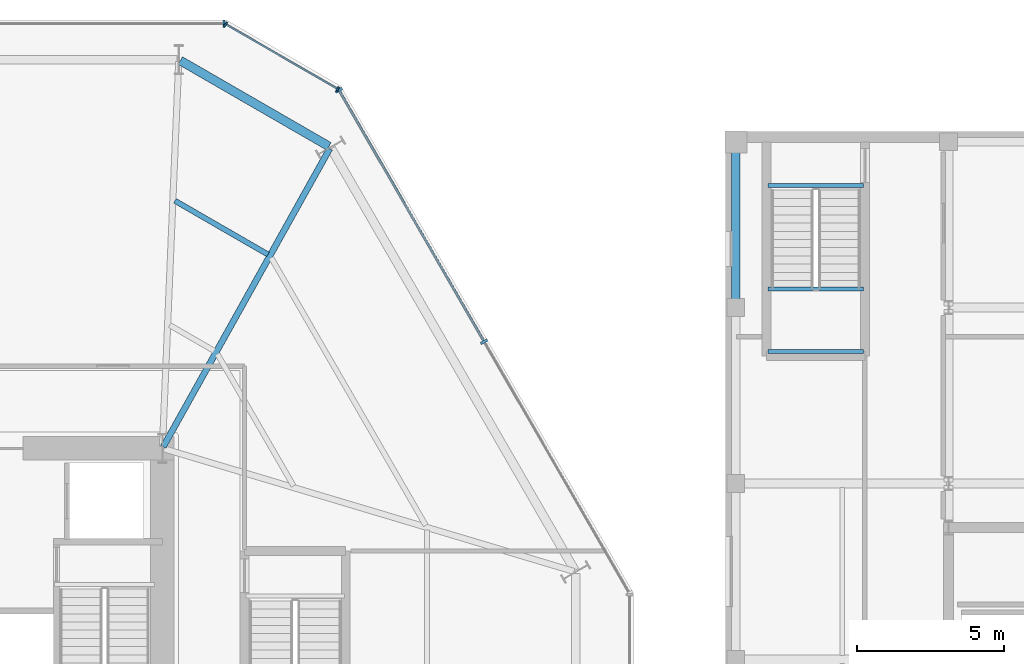
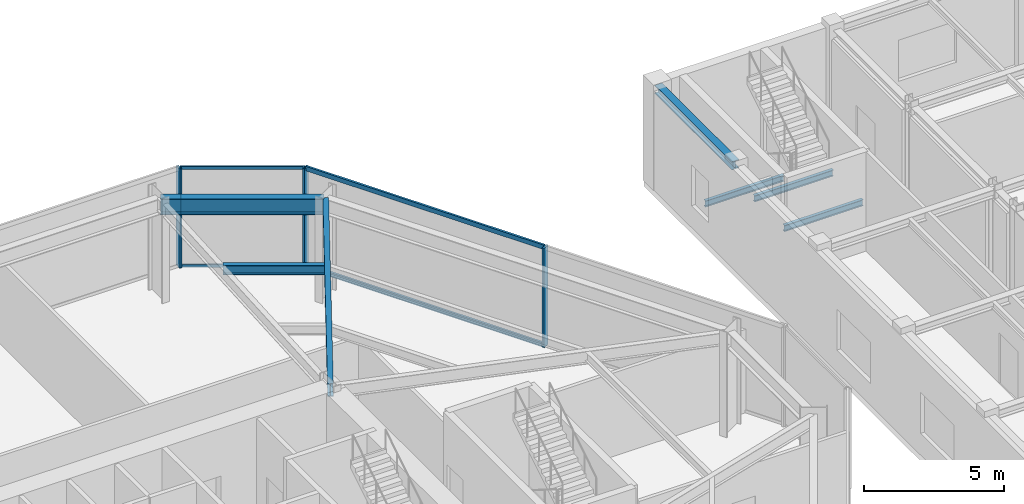
# One storey, part 13 of 23: 9 members, 7 beams, 3 elements without a shape of their own.
"""IFC4 building model written with IfcOpenShell, lengths in metres."""

import ifcopenshell
import ifcopenshell.guid

model = None  # the IFC model being written
_history = None  # IfcOwnerHistory: only IFC2X3 demands one
_inside = {}  # id of a spatial element -> (the spatial element, [elements in it])
_under = {}  # id of a project, library or spatial element -> (it, [spatial elements below it])
_declared = {}  # id of a project -> (the project, [libraries it declares])
_typed = {}  # id of a type object -> (the type object, [elements of that type])
_made_of = {}  # id of a material, layer set ... -> (it, [elements and type objects made of it])


def new_model(schema):
    """Start an empty IFC model of exactly this schema.

    Asked for "IFC4X3", IfcOpenShell would pick the latest addendum, in which some entities
    have other attributes; the version numbers below select the first issue.
    IFC2X3 requires an IfcOwnerHistory on every rooted entity: one is made here for all.
    """
    global model, _history
    if schema == "IFC4X3":
        model = ifcopenshell.file(schema_version=(4, 3, 0, 0))
    else:
        model = ifcopenshell.file(schema=schema)
    _inside.clear()
    _under.clear()
    _declared.clear()
    _typed.clear()
    _made_of.clear()
    _history = None
    if model.schema == "IFC2X3":
        org = make("IfcOrganization", Name="unknown")
        user = make(
            "IfcPersonAndOrganization",
            ThePerson=make("IfcPerson", FamilyName="unknown"),
            TheOrganization=org,
        )
        app = make(
            "IfcApplication",
            ApplicationDeveloper=org,
            Version="unknown",
            ApplicationFullName="unknown",
            ApplicationIdentifier="unknown",
        )
        _history = make(
            "IfcOwnerHistory",
            OwningUser=user,
            OwningApplication=app,
            ChangeAction="ADDED",
            CreationDate=0,
        )
    return model


def make(cls, **values):
    """One entity of the class cls with the attributes given. An attribute that is None is left unset."""
    return model.create_entity(
        cls, **{name: value for name, value in values.items() if value is not None}
    )


def rooted(cls, **values):
    """An entity with a GlobalId (a new one), such as an element, a storey or a relation."""
    return make(cls, GlobalId=ifcopenshell.guid.new(), OwnerHistory=_history, **values)


def si_unit(unit_type, name, prefix=None):
    """IfcSIUnit, for example si_unit("LENGTHUNIT", "METRE", prefix="MILLI")."""
    return make("IfcSIUnit", UnitType=unit_type, Prefix=prefix, Name=name)


def assignment(units):
    """IfcUnitAssignment: the units of a project."""
    return None if units is None else make("IfcUnitAssignment", Units=units)


def point(xyz):
    """IfcCartesianPoint."""
    return None if xyz is None else make("IfcCartesianPoint", Coordinates=xyz)


def direction(xyz):
    """IfcDirection."""
    return None if xyz is None else make("IfcDirection", DirectionRatios=xyz)


def frame(location, z_axis=None, x_axis=None):
    """IfcAxis2Placement3D, a coordinate frame: its origin and axes. An axis left out is left unset."""
    return make(
        "IfcAxis2Placement3D",
        Location=point(location),
        Axis=direction(z_axis),
        RefDirection=direction(x_axis),
    )


def frame_2d(location, x_axis=None):
    """IfcAxis2Placement2D, a coordinate frame in the plane: its origin and x axis."""
    return make(
        "IfcAxis2Placement2D", Location=point(location), RefDirection=direction(x_axis)
    )


def origin():
    """The frame at (0, 0, 0) with its axes left unset."""
    return frame((0.0, 0.0, 0.0))


def origin_2d():
    """The frame at (0, 0) in the plane with its x axis left unset."""
    return frame_2d((0.0, 0.0))


def place(relative_to, where):
    """IfcLocalPlacement: puts the frame where relative to a parent placement (None: the world)."""
    return make(
        "IfcLocalPlacement", PlacementRelTo=relative_to, RelativePlacement=where
    )


def context(
    kind, dimensions, precision=None, world=None, true_north=None, identifier=None
):
    """IfcGeometricRepresentationContext, for example the 3D "Model" context."""
    return make(
        "IfcGeometricRepresentationContext",
        ContextIdentifier=identifier,
        ContextType=kind,
        CoordinateSpaceDimension=dimensions,
        Precision=precision,
        WorldCoordinateSystem=world,
        TrueNorth=true_north,
    )


def subcontext(parent, identifier, kind, view, scale=None):
    """IfcGeometricRepresentationSubContext, for example "Body" below "Model"."""
    return make(
        "IfcGeometricRepresentationSubContext",
        ContextIdentifier=identifier,
        ContextType=kind,
        ParentContext=parent,
        TargetScale=scale,
        TargetView=view,
    )


def project(units=None, contexts=None):
    """IfcProject with its units and contexts."""
    return rooted(
        "IfcProject",
        Name="project",
        RepresentationContexts=contexts,
        UnitsInContext=assignment(units),
    )


def spatial(cls, under=None, at=None, **own):
    """A site, building, storey or space (cls), placed at a placement, below another one or the project."""
    s = rooted(cls, ObjectPlacement=at, **own)
    if under is not None:
        _under.setdefault(under.id(), (under, []))[1].append(s)
    return s


def profile(cls, at=None, kind="AREA", **sizes):
    """A parametric profile (cls). Its sizes go by their IFC names, for example OverallWidth=200.0."""
    return make(cls, ProfileType=kind, Position=at, **sizes)


def rectangle(**sizes):
    """IfcRectangleProfileDef."""
    return profile("IfcRectangleProfileDef", **sizes)


def i_section(**sizes):
    """IfcIShapeProfileDef."""
    return profile("IfcIShapeProfileDef", **sizes)


def extrude(swept, where, along, depth):
    """IfcExtrudedAreaSolid: the profile swept, set in the frame where, extruded along a direction by depth."""
    return make(
        "IfcExtrudedAreaSolid",
        SweptArea=swept,
        Position=where,
        ExtrudedDirection=direction(along),
        Depth=depth,
    )


def shape(context_of_items, identifier, shape_type, items):
    """IfcShapeRepresentation: the items that make up one representation, for example the "Body"."""
    return make(
        "IfcShapeRepresentation",
        ContextOfItems=context_of_items,
        RepresentationIdentifier=identifier,
        RepresentationType=shape_type,
        Items=items,
    )


def material(Name=None, Category=None):
    """IfcMaterial."""
    return make("IfcMaterial", Name=Name, Category=Category)


def layer(
    of_material, thickness, ventilated=None, Name=None, Category=None, Priority=None
):
    """IfcMaterialLayer: one layer of a wall or slab, of a material (None: an air gap)."""
    return make(
        "IfcMaterialLayer",
        Material=of_material,
        LayerThickness=thickness,
        IsVentilated=ventilated,
        Name=Name,
        Category=Category,
        Priority=Priority,
    )


def layer_set(layers, Name=None):
    """IfcMaterialLayerSet."""
    return make("IfcMaterialLayerSet", MaterialLayers=layers, LayerSetName=Name)


def material_profile(
    of_material, cross_section, Name=None, Category=None, Priority=None
):
    """IfcMaterialProfile: a cross section and its material."""
    return make(
        "IfcMaterialProfile",
        Name=Name,
        Material=of_material,
        Profile=cross_section,
        Priority=Priority,
        Category=Category,
    )


def profile_set(profiles, Name=None, composite=None):
    """IfcMaterialProfileSet."""
    return make(
        "IfcMaterialProfileSet",
        Name=Name,
        MaterialProfiles=profiles,
        CompositeProfile=composite,
    )


def made_of(thing, what):
    """Note that an element or type object is made of a material, layer set ...; save() writes the relation."""
    if what is not None:
        _made_of.setdefault(what.id(), (what, []))[1].append(thing)
    return thing


def type_object(cls, material=None, **own):
    """A type object (cls), such as IfcWallType, which elements share."""
    return made_of(rooted(cls, **own), material)


def element(
    cls,
    number,
    at=None,
    inside=None,
    cuts=None,
    type_object=None,
    material=None,
    context=None,
    identifier="Body",
    shape_type=None,
    held_by="IfcProductDefinitionShape",
    body=None,
    shapes=None,
    **own,
):
    """One element of the class cls, such as IfcWall. Its Tag is "e" and its number.

    at: its placement. inside: the storey or other place that contains it. cuts: it is an
    opening in that element (IfcRelVoidsElement). A single representation is given by context,
    identifier, shape_type and body (its items); several are given by shapes. held_by: the class
    of the entity that holds the representations. save() writes the other relations.
    """
    e = rooted(cls, Tag="e%d" % number, ObjectPlacement=at, **own)
    if body is not None:
        shapes = [shape(context, identifier, shape_type, body)]
    if shapes is not None:
        e.Representation = make(held_by, Representations=shapes)
    if inside is not None:
        _inside.setdefault(inside.id(), (inside, []))[1].append(e)
    if cuts is not None:
        rooted(
            "IfcRelVoidsElement", RelatingBuildingElement=cuts, RelatedOpeningElement=e
        )
    if type_object is not None:
        _typed.setdefault(type_object.id(), (type_object, []))[1].append(e)
    return made_of(e, material)


def aggregate(whole, parts):
    """IfcRelAggregates: a whole, such as a stair, and the parts it consists of."""
    return rooted("IfcRelAggregates", RelatingObject=whole, RelatedObjects=parts)


def save(model, path):
    """Write the relations noted so far, then the file.

    IfcRelAggregates (storeys below a building ...), IfcRelContainedInSpatialStructure (elements
    in a storey), IfcRelDefinesByType, IfcRelAssociatesMaterial and IfcRelDeclares: one each for
    every whole, place, type object, material and project.
    """
    for whole, parts in _under.values():
        aggregate(whole, parts)
    for where, things in _inside.values():
        rooted(
            "IfcRelContainedInSpatialStructure",
            RelatedElements=things,
            RelatingStructure=where,
        )
    for kind, things in _typed.values():
        rooted("IfcRelDefinesByType", RelatedObjects=things, RelatingType=kind)
    for what, things in _made_of.values():
        rooted("IfcRelAssociatesMaterial", RelatedObjects=things, RelatingMaterial=what)
    for by, libraries in _declared.values():
        rooted("IfcRelDeclares", RelatingContext=by, RelatedDefinitions=libraries)
    model.write(path)


model = new_model("IFC4")

# Units and contexts
model_context = context("Model", 3, precision=1e-05, world=origin(), true_north=direction((0.0, 1.0)))
body_context = subcontext(model_context, "Body", "Model", "MODEL_VIEW")
ifc_project = project(units=[si_unit("LENGTHUNIT", "METRE"), si_unit("AREAUNIT", "SQUARE_METRE"), si_unit("VOLUMEUNIT", "CUBIC_METRE"), si_unit("PLANEANGLEUNIT", "RADIAN"), si_unit("MASSUNIT", "GRAM", prefix="KILO")], contexts=[model_context])

# Site, building, storey
site_placement = place(None, origin())
site = spatial("IfcSite", under=ifc_project, at=site_placement, CompositionType="ELEMENT")
building_placement = place(site_placement, origin())
building = spatial("IfcBuilding", under=site, at=building_placement, Name="Kranzbogen Civic Tower", CompositionType="ELEMENT")
storey_placement = place(building_placement, frame((0.0, 0.0, 9.800048828125)))
storey = spatial("IfcBuildingStorey", under=building, at=storey_placement, Name="L02", CompositionType="ELEMENT", Elevation=9.800048828125)

# Curtain wall, members
ifc_material_1 = material(Name="Pale Anodised Aluminium", Category="aluminium")
ifc_layer_1 = layer(ifc_material_1, 0.219970703125, Name="Pale Anodised Aluminium")
ifc_layer_set_1 = layer_set([ifc_layer_1], Name="Pale Anodised Aluminium")
curtain_wall_type_1 = type_object("IfcCurtainWallType", Name="Chamfer Facet Stick Curtain Wall System CW-06", PredefinedType="USERDEFINED", material=ifc_layer_set_1)
curtain_wall_1_placement = place(storey_placement, origin())
curtain_wall_1 = element("IfcCurtainWall", 1, at=curtain_wall_1_placement, inside=storey, type_object=curtain_wall_type_1, Name="L02 curtain wall CW-L02-C1", ObjectType="STICK CURTAIN WALL", PredefinedType="USERDEFINED")
ifc_material_profile_1 = material_profile(ifc_material_1, rectangle(XDim=0.06005859375, YDim=0.159912109375, at=origin_2d()), Name="ALU-M 60x160")
ifc_profile_set_1 = profile_set([ifc_material_profile_1], Name="Pale Anodised Aluminium")
member_type_1 = type_object("IfcMemberType", Name="Curtain Wall Mullion ALU-M 60x160", PredefinedType="MULLION", material=ifc_profile_set_1)
member_1_placement = place(storey_placement, frame((38.778076171875, 44.450927734375, 0.0), z_axis=(0.0, 0.0, 1.0), x_axis=(-0.865992001897, 0.500057849305, 0.0)))
member_1 = element("IfcMember", 2, at=member_1_placement, type_object=member_type_1, Name="CW-06 mullion 1", PredefinedType="MULLION", context=body_context, shape_type="SweptSolid", body=[
    extrude(rectangle(XDim=0.06005859375, YDim=0.159912109375, at=origin_2d()), origin(), (0.0, 0.0, 1.0), 4.33984375),
])
member_2_placement = place(storey_placement, frame((34.9560546875, 46.657958984375, 0.0), z_axis=(0.0, 0.0, 1.0), x_axis=(-0.865992001897, 0.500057849305, 0.0)))
member_2 = element("IfcMember", 3, at=member_2_placement, type_object=member_type_1, Name="CW-06 mullion 2", PredefinedType="MULLION", context=body_context, shape_type="SweptSolid", body=[
    extrude(rectangle(XDim=0.06005859375, YDim=0.159912109375, at=origin_2d()), origin(), (0.0, 0.0, 1.0), 4.33984375),
])

ifc_layer_2 = layer(ifc_material_1, 0.219970703125, Name="Pale Anodised Aluminium")
ifc_layer_set_2 = layer_set([ifc_layer_2], Name="Pale Anodised Aluminium")
curtain_wall_type_2 = type_object("IfcCurtainWallType", Name="Podium Stick Curtain Wall System CW-01", PredefinedType="USERDEFINED", material=ifc_layer_set_2)
curtain_wall_2_placement = place(storey_placement, origin())
curtain_wall_2 = element("IfcCurtainWall", 4, at=curtain_wall_2_placement, inside=storey, type_object=curtain_wall_type_2, Name="L02 curtain wall CW-L02-F1", ObjectType="STICK CURTAIN WALL", PredefinedType="USERDEFINED")
ifc_material_profile_2 = material_profile(ifc_material_1, rectangle(XDim=0.0849609375, YDim=0.260009765625, at=origin_2d()), Name="ALU-M 85x260")
ifc_profile_set_2 = profile_set([ifc_material_profile_2], Name="Pale Anodised Aluminium")
member_type_2 = type_object("IfcMemberType", Name="Curtain Wall Mullion ALU-M 85x260", PredefinedType="MULLION", material=ifc_profile_set_2)
member_3_placement = place(storey_placement, frame((43.76904296875, 35.83642578125, 0.0), z_axis=(0.0, 0.0, 1.0), x_axis=(-0.500005767433, 0.86602207393, 0.0)))
member_3 = element("IfcMember", 5, at=member_3_placement, type_object=member_type_2, Name="CW-01 mullion 2", PredefinedType="MULLION", context=body_context, shape_type="SweptSolid", body=[
    extrude(rectangle(XDim=0.0849609375, YDim=0.260009765625, at=origin_2d()), origin(), (0.0, 0.0, 1.0), 4.33984375),
])
member_4_placement = place(storey_placement, frame((38.819091796875, 44.409912109375, 0.0), z_axis=(0.0, 0.0, 1.0), x_axis=(-0.500005767433, 0.86602207393, 0.0)))
member_4 = element("IfcMember", 6, at=member_4_placement, type_object=member_type_2, Name="CW-01 mullion 3", PredefinedType="MULLION", context=body_context, shape_type="SweptSolid", body=[
    extrude(rectangle(XDim=0.0849609375, YDim=0.260009765625, at=origin_2d()), origin(), (0.0, 0.0, 1.0), 4.33984375),
])

# Curtain wall, member
curtain_wall_3_placement = place(storey_placement, origin())
curtain_wall_3 = element("IfcCurtainWall", 7, at=curtain_wall_3_placement, inside=storey, type_object=curtain_wall_type_2, Name="L02 curtain wall CW-L02-F2", ObjectType="STICK CURTAIN WALL", PredefinedType="USERDEFINED")
member_5_placement = place(storey_placement, frame((34.89990234375, 46.673095703125, 0.0), z_axis=(0.0, 0.0, 1.0), x_axis=(-1.0, 0.0, 0.0)))
member_5 = element("IfcMember", 8, at=member_5_placement, type_object=member_type_2, Name="CW-01 mullion 1", PredefinedType="MULLION", context=body_context, shape_type="SweptSolid", body=[
    extrude(rectangle(XDim=0.0849609375, YDim=0.260009765625, at=origin_2d()), origin(), (0.0, 0.0, 1.0), 4.33984375),
])
aggregate(curtain_wall_3, [member_5])

# Member
ifc_material_profile_3 = material_profile(ifc_material_1, rectangle(XDim=0.06005859375, YDim=0.1201171875, at=origin_2d()), Name="ALU-T 60x120")
ifc_profile_set_3 = profile_set([ifc_material_profile_3], Name="Pale Anodised Aluminium")
member_type_3 = type_object("IfcMemberType", Name="Curtain Wall Transom ALU-T 60x120", PredefinedType="USERDEFINED", material=ifc_profile_set_3)
member_6_placement = place(storey_placement, frame((38.751953125, 44.466064453125, 0.030029296875), z_axis=(-0.865987588642, 0.500065492029, 0.0), x_axis=(-0.500065492029, -0.865987588642, 0.0)))
member_6 = element("IfcMember", 9, at=member_6_placement, type_object=member_type_3, Name="CW-06 transom 1.1", ObjectType="TRANSOM", PredefinedType="USERDEFINED", context=body_context, shape_type="SweptSolid", body=[
    extrude(rectangle(XDim=0.06005859375, YDim=0.1201171875, at=origin_2d()), origin(), (0.0, 0.0, 1.0), 4.353515625),
])

member_7_placement = place(storey_placement, frame((38.751953125, 44.466064453125, 4.31005859375), z_axis=(-0.865987588642, 0.500065492029, 0.0), x_axis=(-0.500065492029, -0.865987588642, 0.0)))
member_7 = element("IfcMember", 10, at=member_7_placement, type_object=member_type_3, Name="CW-06 transom 1.2", ObjectType="TRANSOM", PredefinedType="USERDEFINED", context=body_context, shape_type="SweptSolid", body=[
    extrude(rectangle(XDim=0.06005859375, YDim=0.1201171875, at=origin_2d()), origin(), (0.0, 0.0, 1.0), 4.353515625),
])

aggregate(curtain_wall_1, [member_1, member_2, member_6, member_7])

ifc_material_profile_4 = material_profile(ifc_material_1, rectangle(XDim=0.0849609375, YDim=0.195068359375, at=origin_2d()), Name="ALU-T 85x195")
ifc_profile_set_4 = profile_set([ifc_material_profile_4], Name="Pale Anodised Aluminium")
member_type_4 = type_object("IfcMemberType", Name="Curtain Wall Transom ALU-T 85x195", PredefinedType="USERDEFINED", material=ifc_profile_set_4)
member_8_placement = place(storey_placement, frame((43.75390625, 35.862548828125, 0.030029296875), z_axis=(-0.500003092839, 0.866023618125, 0.0), x_axis=(-0.866023618125, -0.500003092839, 0.0)))
member_8 = element("IfcMember", 11, at=member_8_placement, type_object=member_type_4, Name="CW-01 transom 2.1", ObjectType="TRANSOM", PredefinedType="USERDEFINED", context=body_context, shape_type="SweptSolid", body=[
    extrude(rectangle(XDim=0.0849609375, YDim=0.195068359375, at=origin_2d()), origin(), (0.0, 0.0, 1.0), 9.83984375),
])

member_9_placement = place(storey_placement, frame((43.75390625, 35.862548828125, 4.31005859375), z_axis=(-0.500003092839, 0.866023618125, 0.0), x_axis=(-0.866023618125, -0.500003092839, 0.0)))
member_9 = element("IfcMember", 12, at=member_9_placement, type_object=member_type_4, Name="CW-01 transom 2.2", ObjectType="TRANSOM", PredefinedType="USERDEFINED", context=body_context, shape_type="SweptSolid", body=[
    extrude(rectangle(XDim=0.0849609375, YDim=0.195068359375, at=origin_2d()), origin(), (0.0, 0.0, 1.0), 9.83984375),
])

aggregate(curtain_wall_2, [member_3, member_4, member_8, member_9])

# Beams
ifc_material_2 = material(Name="Steel S355", Category="steel")
ifc_material_profile_5 = material_profile(ifc_material_2, i_section(OverallWidth=0.300048828125, OverallDepth=0.360107421875, WebThickness=0.012451171875, FlangeThickness=0.0224609375, at=origin_2d()), Name="HEB 360")
ifc_profile_set_5 = profile_set([ifc_material_profile_5], Name="Steel S355")
beam_type_1 = type_object("IfcBeamType", Name="Health Centre Primary Floor Beam HEB 360", PredefinedType="BEAM", material=ifc_profile_set_5)
beam_1_placement = place(storey_placement, frame((52.35009765625, 37.06005859375, 4.159912109375), z_axis=(0.0, 1.0, 0.0), x_axis=(-1.0, 0.0, 0.0)))
element("IfcBeam", 13, at=beam_1_placement, inside=storey, type_object=beam_type_1, Name="L02 Health Centre Y girder 1-6", PredefinedType="BEAM", context=body_context, shape_type="SweptSolid", body=[
    extrude(i_section(OverallWidth=0.300048828125, OverallDepth=0.360107421875, WebThickness=0.012451171875, FlangeThickness=0.0224609375, at=origin_2d()), origin(), (0.0, 0.0, 1.0), 5.530029296875),
])
ifc_material_profile_6 = material_profile(ifc_material_2, i_section(OverallWidth=0.300048828125, OverallDepth=0.699951171875, WebThickness=0.01708984375, FlangeThickness=0.031982421875, at=origin_2d()), Name="HEB 700")
ifc_profile_set_6 = profile_set([ifc_material_profile_6], Name="Steel S355")
beam_type_2 = type_object("IfcBeamType", Name="Perimeter Tube Spandrel Beam HEB 700", PredefinedType="SPANDREL", material=ifc_profile_set_6)
beam_2_placement = place(storey_placement, frame((38.47900390625, 42.493896484375, 3.989990234375), z_axis=(-0.86602927387, 0.499993296755, 0.0), x_axis=(-0.499993296755, -0.86602927387, 0.0)))
element("IfcBeam", 14, at=beam_2_placement, inside=storey, type_object=beam_type_2, Name="L02 perimeter spandrel beam 08", PredefinedType="SPANDREL", context=body_context, shape_type="SweptSolid", body=[
    extrude(i_section(OverallWidth=0.300048828125, OverallDepth=0.699951171875, WebThickness=0.01708984375, FlangeThickness=0.031982421875, at=origin_2d()), origin(), (0.0, 0.0, 1.0), 5.85205078125),
])
ifc_material_profile_7 = material_profile(ifc_material_2, i_section(OverallWidth=0.2099609375, OverallDepth=0.550048828125, WebThickness=0.010986328125, FlangeThickness=0.01708984375, at=origin_2d()), Name="IPE 550")
ifc_profile_set_7 = profile_set([ifc_material_profile_7], Name="Steel S355")
beam_type_3 = type_object("IfcBeamType", Name="Radial Tower Floor Girder IPE 550", PredefinedType="BEAM", material=ifc_profile_set_7)
beam_3_placement = place(storey_placement, frame((38.501953125, 42.412109375, 4.06494140625), z_axis=(-0.487501570266, -0.87312211001, 0.0), x_axis=(0.87312211001, -0.487501570266, 0.0)))
element("IfcBeam", 15, at=beam_3_placement, inside=storey, type_object=beam_type_3, Name="L02 radial floor girder 08", PredefinedType="BEAM", context=body_context, shape_type="SweptSolid", body=[
    extrude(i_section(OverallWidth=0.2099609375, OverallDepth=0.550048828125, WebThickness=0.010986328125, FlangeThickness=0.01708984375, at=origin_2d()), origin(), (0.0, 0.0, 1.0), 11.636474609375),
])
ifc_material_profile_8 = material_profile(ifc_material_2, i_section(OverallWidth=0.179931640625, OverallDepth=0.39990234375, WebThickness=0.008544921875, FlangeThickness=0.013427734375, at=origin_2d()), Name="IPE 400")
ifc_profile_set_8 = profile_set([ifc_material_profile_8], Name="Steel S355")
beam_type_4 = type_object("IfcBeamType", Name="Secondary Composite Floor Joist IPE 400", PredefinedType="JOIST", material=ifc_profile_set_8)
beam_4_placement = place(storey_placement, frame((36.39892578125, 38.80908203125, 4.139892578125), z_axis=(-0.866081244924, 0.499903267833, 0.0), x_axis=(-0.499903267833, -0.866081244924, 0.0)))
element("IfcBeam", 16, at=beam_4_placement, inside=storey, type_object=beam_type_4, Name="L02 secondary floor joist 1.08", PredefinedType="JOIST", context=body_context, shape_type="SweptSolid", body=[
    extrude(i_section(OverallWidth=0.179931640625, OverallDepth=0.39990234375, WebThickness=0.008544921875, FlangeThickness=0.013427734375, at=origin_2d()), origin(), (0.0, 0.0, 1.0), 3.662353515625),
])
ifc_material_profile_9 = material_profile(ifc_material_2, i_section(OverallWidth=0.135009765625, OverallDepth=0.27001953125, WebThickness=0.006591796875, FlangeThickness=0.01025390625, at=origin_2d()), Name="IPE 270")
ifc_profile_set_9 = profile_set([ifc_material_profile_9], Name="Steel S355")
beam_type_5 = type_object("IfcBeamType", Name="Stair Landing Support Beam IPE 270", PredefinedType="JOIST", material=ifc_profile_set_9)
for number, where, z_axis, x_axis, name in (
    (17, (53.449951171875, 41.159912109375, -0.39501953125), (1.0, 0.0, 0.0), (0.0, 1.0, 0.0), "L02 ST-H2 stair floor header beam"),
    (18, (53.449951171875, 37.639892578125, 1.96484375), (1.0, 0.0, 0.0), (0.0, 1.0, 0.0), "L02 ST-H2 landing support beam 1.1"),
    (19, (53.449951171875, 35.5, 1.96484375), (1.0, 0.0, 0.0), (0.0, 1.0, 0.0), "L02 ST-H2 landing support beam 1.2"),
):
    element("IfcBeam", number, at=place(storey_placement, frame(where, z_axis=z_axis, x_axis=x_axis)), inside=storey, type_object=beam_type_5, Name=name, PredefinedType="JOIST", context=body_context, shape_type="SweptSolid", body=[
        extrude(i_section(OverallWidth=0.135009765625, OverallDepth=0.27001953125, WebThickness=0.006591796875, FlangeThickness=0.01025390625, at=origin_2d()), origin(), (0.0, 0.0, 1.0), 3.25),
    ])

save(model, "model.ifc")
